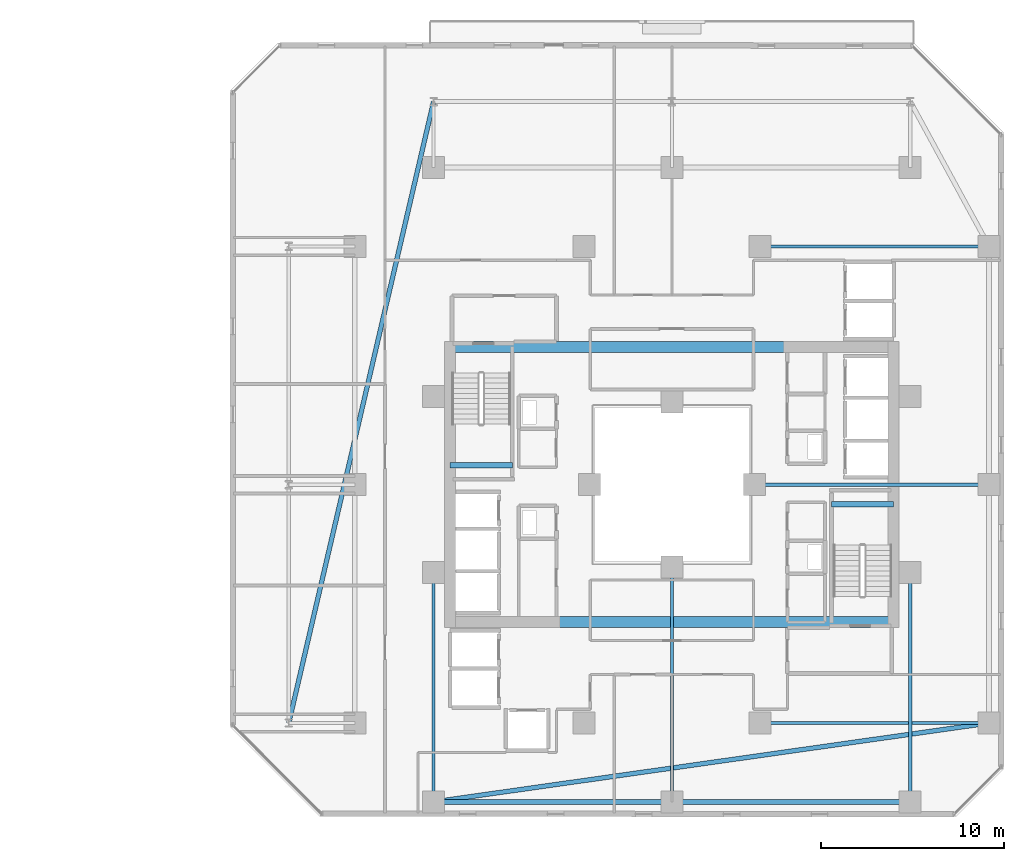
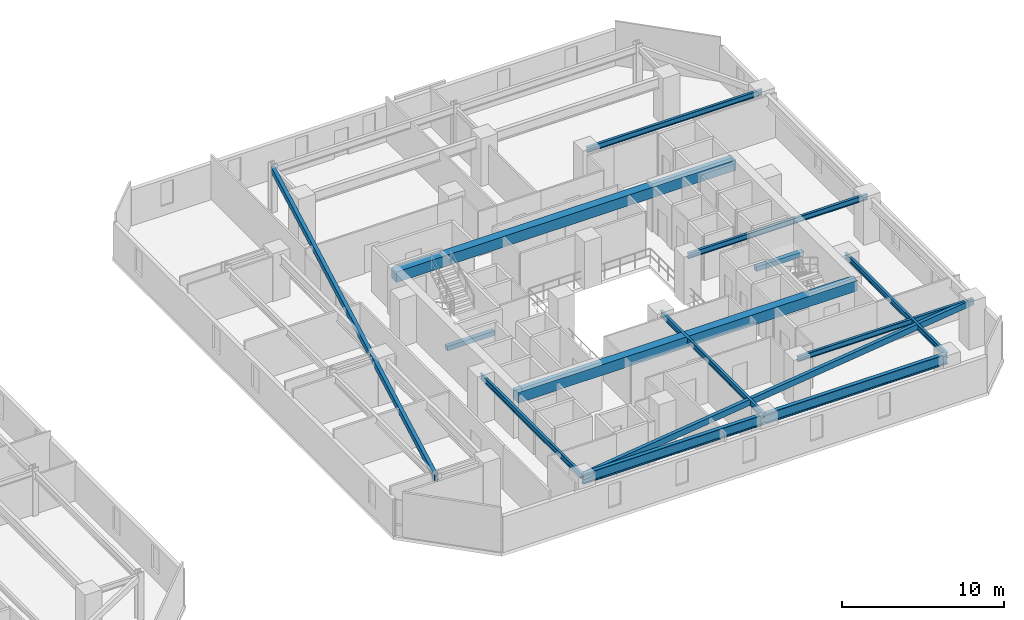
# One storey, part 11 of 31: 14 beams.
"""IFC4 building model written with IfcOpenShell, lengths in metres."""

from ifc_helpers import new_model, si_unit, direction, frame, origin, origin_2d, place, context, subcontext, project, spatial, rectangle, hollow_rectangle, i_section, extrude, material, material_profile, profile_set, type_object, element, save


model = new_model("IFC4")

# Units and contexts
model_context = context("Model", 3, precision=1e-05, world=origin(), true_north=direction((0.0, 1.0)))
body_context = subcontext(model_context, "Body", "Model", "MODEL_VIEW")
ifc_project = project(units=[si_unit("LENGTHUNIT", "METRE"), si_unit("AREAUNIT", "SQUARE_METRE"), si_unit("VOLUMEUNIT", "CUBIC_METRE"), si_unit("PLANEANGLEUNIT", "RADIAN"), si_unit("MASSUNIT", "GRAM", prefix="KILO")], contexts=[model_context])

# Site, building, storey
site_placement = place(None, origin())
site = spatial("IfcSite", under=ifc_project, at=site_placement, CompositionType="ELEMENT")
building_placement = place(site_placement, origin())
building = spatial("IfcBuilding", under=site, at=building_placement, Name="Thornwick Lancets Civic Towers", CompositionType="ELEMENT")
storey_placement = place(building_placement, frame((0.0, 0.0, 90.89990234375)))
storey = spatial("IfcBuildingStorey", under=building, at=storey_placement, Name="L23", CompositionType="ELEMENT", Elevation=90.89990234375)

# Beams
ifc_material_1 = material(Name="Concrete C60/75", Category="concrete")
ifc_material_profile_1 = material_profile(ifc_material_1, rectangle(XDim=0.60009765625, YDim=0.800048828125, at=origin_2d()), Name="RC 600x800")
ifc_profile_set_1 = profile_set([ifc_material_profile_1], Name="Concrete C60/75")
beam_type_1 = type_object("IfcBeamType", Name="BM_COUP_RC800", PredefinedType="BEAM", material=ifc_profile_set_1)
for number, where, z_axis, x_axis, name in (
    (1, (76.39990234375, 34.5, 2.960205078125), (1.0, 0.0, 0.0), (0.0, 1.0, 0.0), "CB-L23-B1"),
    (2, (76.39990234375, 19.5, 2.960205078125), (1.0, 0.0, 0.0), (0.0, 1.0, 0.0), "CB-L23-B2"),
):
    element("IfcBeam", number, at=place(storey_placement, frame(where, z_axis=z_axis, x_axis=x_axis)), inside=storey, type_object=beam_type_1, Name=name, PredefinedType="BEAM", context=body_context, shape_type="SweptSolid", body=[
        extrude(rectangle(XDim=0.60009765625, YDim=0.800048828125, at=origin_2d()), origin(), (0.0, 0.0, 1.0), 24.2001953125),
    ])
ifc_material_2 = material(Name="Steel S355JR", Category="steel")
ifc_material_profile_2 = material_profile(ifc_material_2, i_section(OverallWidth=0.26806640625, OverallDepth=0.769775390625, WebThickness=0.015625, FlangeThickness=0.025390625, FilletRadius=0.0166015625, at=origin_2d()), Name="UKB 762x267x197")
ifc_profile_set_2 = profile_set([ifc_material_profile_2], Name="Steel S355JR")
beam_type_2 = type_object("IfcBeamType", Name="BM_GIRD_762_197", PredefinedType="BEAM", material=ifc_profile_set_2)
beam_1_placement = place(storey_placement, frame((101.5, 9.699951171875, 2.97509765625), z_axis=(-1.0, 0.0, 0.0), x_axis=(0.0, -1.0, 0.0)))
element("IfcBeam", 3, at=beam_1_placement, inside=storey, type_object=beam_type_2, Name="BM-SPINE-L23-B-9-10", PredefinedType="BEAM", context=body_context, shape_type="SweptSolid", body=[
    extrude(i_section(OverallWidth=0.26806640625, OverallDepth=0.769775390625, WebThickness=0.015625, FlangeThickness=0.025390625, FilletRadius=0.0166015625, at=origin_2d()), origin(), (0.0, 0.0, 1.0), 13.0),
])
beam_2_placement = place(storey_placement, frame((88.419921875, 9.699951171875, 2.97509765625), z_axis=(-1.0, 0.0, 0.0), x_axis=(0.0, -1.0, 0.0)))
element("IfcBeam", 4, at=beam_2_placement, inside=storey, type_object=beam_type_2, Name="BM-SPINE-L23-B-10-11", PredefinedType="BEAM", context=body_context, shape_type="SweptSolid", body=[
    extrude(i_section(OverallWidth=0.26806640625, OverallDepth=0.769775390625, WebThickness=0.015625, FlangeThickness=0.025390625, FilletRadius=0.0166015625, at=origin_2d()), origin(), (0.0, 0.0, 1.0), 12.919921875),
])
ifc_material_profile_3 = material_profile(ifc_material_2, i_section(OverallWidth=0.179443359375, OverallDepth=0.412841796875, WebThickness=0.009521484375, FlangeThickness=0.01611328125, FilletRadius=0.01025390625, at=origin_2d()), Name="UKB 406x178x74")
ifc_profile_set_3 = profile_set([ifc_material_profile_3], Name="Steel S355JR")
beam_type_3 = type_object("IfcBeamType", Name="BM_JOIST_406_74", PredefinedType="JOIST", material=ifc_profile_set_3)
beam_3_placement = place(storey_placement, frame((93.300048828125, 14.0, 3.15380859375), z_axis=(1.0, 0.0, 0.0), x_axis=(0.0, 1.0, 0.0)))
element("IfcBeam", 5, at=beam_3_placement, inside=storey, type_object=beam_type_3, Name="BM-RADIN-L23-B01", PredefinedType="JOIST", context=body_context, shape_type="SweptSolid", body=[
    extrude(i_section(OverallWidth=0.179443359375, OverallDepth=0.412841796875, WebThickness=0.009521484375, FlangeThickness=0.01611328125, FilletRadius=0.01025390625, at=origin_2d()), origin(), (0.0, 0.0, 1.0), 12.5),
])
beam_4_placement = place(storey_placement, frame((93.0, 27.0, 3.15380859375), z_axis=(1.0, 0.0, 0.0), x_axis=(0.0, 1.0, 0.0)))
element("IfcBeam", 6, at=beam_4_placement, inside=storey, type_object=beam_type_3, Name="BM-RADIN-L23-B02", PredefinedType="JOIST", context=body_context, shape_type="SweptSolid", body=[
    extrude(i_section(OverallWidth=0.179443359375, OverallDepth=0.412841796875, WebThickness=0.009521484375, FlangeThickness=0.01611328125, FilletRadius=0.01025390625, at=origin_2d()), origin(), (0.0, 0.0, 1.0), 12.800048828125),
])
for number, where, z_axis, x_axis, name in (
    (7, (93.300048828125, 40.0, 3.15380859375), (1.0, 0.0, 0.0), (0.0, 1.0, 0.0), "BM-RADIN-L23-B03"),
    (8, (101.5, 22.199951171875, 3.15380859375), (0.0, -1.0, 0.0), (1.0, 0.0, 0.0), "BM-RADIN-L23-B10"),
):
    element("IfcBeam", number, at=place(storey_placement, frame(where, z_axis=z_axis, x_axis=x_axis)), inside=storey, type_object=beam_type_3, Name=name, PredefinedType="JOIST", context=body_context, shape_type="SweptSolid", body=[
        extrude(i_section(OverallWidth=0.179443359375, OverallDepth=0.412841796875, WebThickness=0.009521484375, FlangeThickness=0.01611328125, FilletRadius=0.01025390625, at=origin_2d()), origin(), (0.0, 0.0, 1.0), 12.5),
    ])
beam_5_placement = place(storey_placement, frame((88.5, 22.5, 3.15380859375), z_axis=(0.0, -1.0, 0.0), x_axis=(1.0, 0.0, 0.0)))
element("IfcBeam", 9, at=beam_5_placement, inside=storey, type_object=beam_type_3, Name="BM-RADIN-L23-B11", PredefinedType="JOIST", context=body_context, shape_type="SweptSolid", body=[
    extrude(i_section(OverallWidth=0.179443359375, OverallDepth=0.412841796875, WebThickness=0.009521484375, FlangeThickness=0.01611328125, FilletRadius=0.01025390625, at=origin_2d()), origin(), (0.0, 0.0, 1.0), 12.800048828125),
])
beam_6_placement = place(storey_placement, frame((75.5, 22.199951171875, 3.15380859375), z_axis=(0.0, -1.0, 0.0), x_axis=(1.0, 0.0, 0.0)))
element("IfcBeam", 10, at=beam_6_placement, inside=storey, type_object=beam_type_3, Name="BM-RADIN-L23-B12", PredefinedType="JOIST", context=body_context, shape_type="SweptSolid", body=[
    extrude(i_section(OverallWidth=0.179443359375, OverallDepth=0.412841796875, WebThickness=0.009521484375, FlangeThickness=0.01611328125, FilletRadius=0.01025390625, at=origin_2d()), origin(), (0.0, 0.0, 1.0), 12.5),
])
ifc_material_profile_4 = material_profile(ifc_material_2, hollow_rectangle(XDim=0.25, YDim=0.449951171875, WallThickness=0.01611328125, at=origin_2d()), Name="RHS 450x250x16")
ifc_profile_set_4 = profile_set([ifc_material_profile_4], Name="Steel S355JR")
beam_type_4 = type_object("IfcBeamType", Name="BM_RING_RHS450", PredefinedType="BEAM", material=ifc_profile_set_4)
beam_7_placement = place(storey_placement, frame((75.5, 47.89990234375, 3.135009765625), z_axis=(-0.226955111866, -0.973905219823, 0.0), x_axis=(0.973905219823, -0.226955111866, 0.0)))
element("IfcBeam", 11, at=beam_7_placement, inside=storey, type_object=beam_type_4, Name="BM-CHAMF-L23-B-C1", PredefinedType="BEAM", context=body_context, shape_type="SweptSolid", body=[
    extrude(hollow_rectangle(XDim=0.25, YDim=0.449951171875, WallThickness=0.01611328125, at=origin_2d()), origin(), (0.0, 0.0, 1.0), 34.80810546875),
])
beam_8_placement = place(storey_placement, frame((75.5, 9.699951171875, 3.135009765625), z_axis=(0.990079584012, 0.140507712682, 0.0), x_axis=(-0.140507712682, 0.990079584012, 0.0)))
element("IfcBeam", 12, at=beam_8_placement, inside=storey, type_object=beam_type_4, Name="BM-CHAMF-L23-B-C3", PredefinedType="BEAM", context=body_context, shape_type="SweptSolid", body=[
    extrude(hollow_rectangle(XDim=0.25, YDim=0.449951171875, WallThickness=0.01611328125, at=origin_2d()), origin(), (0.0, 0.0, 1.0), 30.603759765625),
])
ifc_material_3 = material(Name="Concrete C40/50", Category="concrete")
ifc_material_profile_5 = material_profile(ifc_material_3, rectangle(XDim=0.300048828125, YDim=0.35009765625, at=origin_2d()), Name="RC 300x350")
ifc_profile_set_5 = profile_set([ifc_material_profile_5], Name="Concrete C40/50")
beam_type_5 = type_object("IfcBeamType", Name="BM_STAIR_LDG", PredefinedType="BEAM", material=ifc_profile_set_5)
for number, where, z_axis, x_axis, name in (
    (13, (100.60009765625, 25.93505859375, 1.378173828125), (-1.0, 0.0, 0.0), (0.0, -1.0, 0.0), "L23 ST-B1 Landing Support Beam 1"),
    (14, (76.39990234375, 28.06494140625, 1.378173828125), (1.0, 0.0, 0.0), (0.0, 1.0, 0.0), "L23 ST-B2 Landing Support Beam 1"),
):
    element("IfcBeam", number, at=place(storey_placement, frame(where, z_axis=z_axis, x_axis=x_axis)), inside=storey, type_object=beam_type_5, Name=name, PredefinedType="BEAM", context=body_context, shape_type="SweptSolid", body=[
        extrude(rectangle(XDim=0.300048828125, YDim=0.35009765625, at=origin_2d()), origin(), (0.0, 0.0, 1.0), 3.400146484375),
    ])

save(model, "model.ifc")
